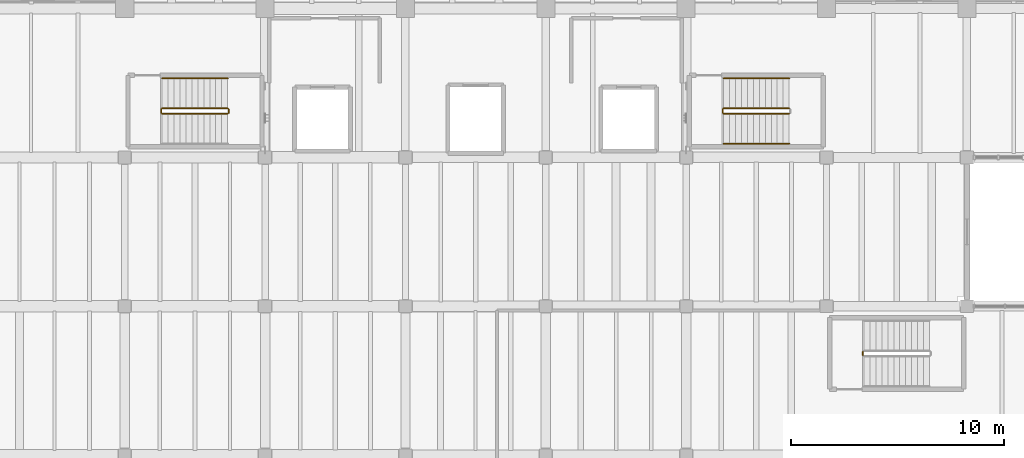
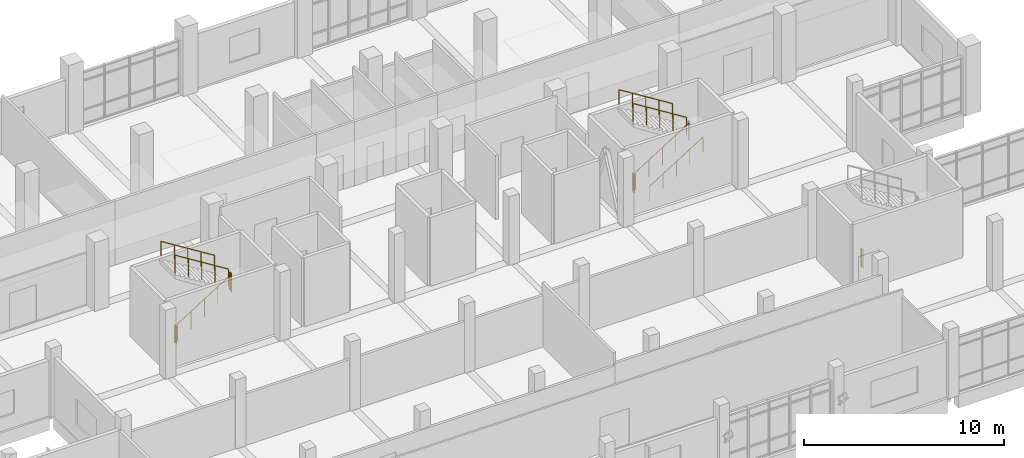
# One storey, part 65 of 68: 11 railings.
"""IFC4 building model written with IfcOpenShell, lengths in metres."""

from ifc_helpers import new_model, si_unit, direction, frame, origin, origin_2d, place, context, subcontext, project, spatial, circle, extrude, material, type_object, element, save


model = new_model("IFC4")

# Units and contexts
model_context = context("Model", 3, precision=1e-05, world=origin(), true_north=direction((0.0, 1.0)))
body_context = subcontext(model_context, "Body", "Model", "MODEL_VIEW")
ifc_project = project(units=[si_unit("LENGTHUNIT", "METRE"), si_unit("AREAUNIT", "SQUARE_METRE"), si_unit("VOLUMEUNIT", "CUBIC_METRE"), si_unit("PLANEANGLEUNIT", "RADIAN"), si_unit("MASSUNIT", "GRAM", prefix="KILO")], contexts=[model_context])

# Site, building, storey
site_placement = place(None, origin())
site = spatial("IfcSite", under=ifc_project, at=site_placement, CompositionType="ELEMENT")
building_placement = place(site_placement, origin())
building = spatial("IfcBuilding", under=site, at=building_placement, Name="Ciguamira Faculty of Natural Sciences", CompositionType="ELEMENT")
storey_placement = place(building_placement, frame((0.0, 0.0, 4.199951171875)))
storey = spatial("IfcBuildingStorey", under=building, at=storey_placement, Name="L01", CompositionType="ELEMENT", Elevation=4.199951171875)

# Railings
ifc_material_1 = material(Name="Stainless steel balustrade", Category="steel")
railing_type_1 = type_object("IfcRailingType", Name="Guardrail_GR01", PredefinedType="GUARDRAIL", material=ifc_material_1)
railing_1_placement = place(storey_placement, frame((72.260009765625, 96.050048828125, 0.175048828125)))
element("IfcRailing", 1, at=railing_1_placement, inside=storey, type_object=railing_type_1, Name="L01 ST-T1 stair guard 1", PredefinedType="GUARDRAIL", context=body_context, shape_type="SweptSolid", body=[
    extrude(circle(Radius=0.02392578125, at=origin_2d()), frame((0.0, 0.0, 1.076171875), z_axis=(0.847998304005, 0.0, 0.529998940003), x_axis=(0.0, 1.0, 0.0)), (0.0, 0.0, 1.0), 3.632080078125),
    extrude(circle(Radius=0.02099609375, at=origin_2d()), origin(), (0.0, 0.0, 1.0), 1.052001953125),
    extrude(circle(Radius=0.02099609375, at=origin_2d()), frame((0.77001953125, 0.0, 0.481201171875)), (0.0, 0.0, 1.0), 1.052001953125),
    extrude(circle(Radius=0.02099609375, at=origin_2d()), frame((1.5400390625, 0.0, 0.96240234375)), (0.0, 0.0, 1.0), 1.052001953125),
    extrude(circle(Radius=0.02099609375, at=origin_2d()), frame((2.31005859375, 0.0, 1.44384765625)), (0.0, 0.0, 1.0), 1.052001953125),
    extrude(circle(Radius=0.02099609375, at=origin_2d()), frame((3.080078125, 0.0, 1.925048828125)), (0.0, 0.0, 1.0), 1.052001953125),
])
railing_2_placement = place(storey_placement, frame((75.389892578125, 96.10009765625, 2.10009765625)))
element("IfcRailing", 2, at=railing_2_placement, inside=storey, type_object=railing_type_1, Name="L01 ST-T1 stair guard 2", PredefinedType="GUARDRAIL", context=body_context, shape_type="SweptSolid", body=[
    extrude(circle(Radius=0.02392578125, at=origin_2d()), frame((0.0, 0.0, 1.076171875), z_axis=(0.0, 1.0, 0.0), x_axis=(-1.0, 0.0, 0.0)), (0.0, 0.0, 1.0), 0.159912109375),
    extrude(circle(Radius=0.02099609375, at=origin_2d()), origin(), (0.0, 0.0, 1.0), 1.052001953125),
    extrude(circle(Radius=0.02099609375, at=origin_2d()), frame((0.0, 0.159912109375, 0.0)), (0.0, 0.0, 1.0), 1.052001953125),
])
railing_3_placement = place(storey_placement, frame((75.340087890625, 96.31005859375, 2.275146484375)))
element("IfcRailing", 3, at=railing_3_placement, inside=storey, type_object=railing_type_1, Name="L01 ST-T1 stair guard 3", PredefinedType="GUARDRAIL", context=body_context, shape_type="SweptSolid", body=[
    extrude(circle(Radius=0.02392578125, at=origin_2d()), frame((0.0, 0.0, 1.076171875), z_axis=(-0.848028513186, 0.0, 0.529950602248), x_axis=(0.0, -1.0, 0.0)), (0.0, 0.0, 1.0), 3.632080078125),
    extrude(circle(Radius=0.02099609375, at=origin_2d()), origin(), (0.0, 0.0, 1.0), 1.052001953125),
    extrude(circle(Radius=0.02099609375, at=origin_2d()), frame((-0.77001953125, 0.0, 0.481201171875)), (0.0, 0.0, 1.0), 1.052001953125),
    extrude(circle(Radius=0.02099609375, at=origin_2d()), frame((-1.5400390625, 0.0, 0.96240234375)), (0.0, 0.0, 1.0), 1.052001953125),
    extrude(circle(Radius=0.02099609375, at=origin_2d()), frame((-2.31005859375, 0.0, 1.443603515625)), (0.0, 0.0, 1.0), 1.052001953125),
    extrude(circle(Radius=0.02099609375, at=origin_2d()), frame((-3.080078125, 0.0, 1.9248046875)), (0.0, 0.0, 1.0), 1.052001953125),
])
railing_4_placement = place(storey_placement, frame((72.2099609375, 96.10009765625, 0.0)))
element("IfcRailing", 4, at=railing_4_placement, inside=storey, type_object=railing_type_1, Name="L01 ST-T1 stair guard 4", PredefinedType="GUARDRAIL", context=body_context, shape_type="SweptSolid", body=[
    extrude(circle(Radius=0.02392578125, at=origin_2d()), frame((0.0, 0.0, 1.076171875), z_axis=(0.0, 1.0, 0.0), x_axis=(-1.0, 0.0, 0.0)), (0.0, 0.0, 1.0), 0.159912109375),
    extrude(circle(Radius=0.02099609375, at=origin_2d()), origin(), (0.0, 0.0, 1.0), 1.052001953125),
    extrude(circle(Radius=0.02099609375, at=origin_2d()), frame((0.0, 0.159912109375, 0.0)), (0.0, 0.0, 1.0), 1.052001953125),
])
railing_5_placement = place(storey_placement, frame((98.659912109375, 96.050048828125, 0.175048828125)))
element("IfcRailing", 5, at=railing_5_placement, inside=storey, type_object=railing_type_1, Name="L01 ST-T2 stair guard 1", PredefinedType="GUARDRAIL", context=body_context, shape_type="SweptSolid", body=[
    extrude(circle(Radius=0.02392578125, at=origin_2d()), frame((0.0, 0.0, 1.076171875), z_axis=(0.847998304005, 0.0, 0.529998940003), x_axis=(0.0, 1.0, 0.0)), (0.0, 0.0, 1.0), 3.632080078125),
    extrude(circle(Radius=0.02099609375, at=origin_2d()), origin(), (0.0, 0.0, 1.0), 1.052001953125),
    extrude(circle(Radius=0.02099609375, at=origin_2d()), frame((0.77001953125, 0.0, 0.481201171875)), (0.0, 0.0, 1.0), 1.052001953125),
    extrude(circle(Radius=0.02099609375, at=origin_2d()), frame((1.5400390625, 0.0, 0.96240234375)), (0.0, 0.0, 1.0), 1.052001953125),
    extrude(circle(Radius=0.02099609375, at=origin_2d()), frame((2.31005859375, 0.0, 1.44384765625)), (0.0, 0.0, 1.0), 1.052001953125),
    extrude(circle(Radius=0.02099609375, at=origin_2d()), frame((3.080078125, 0.0, 1.925048828125)), (0.0, 0.0, 1.0), 1.052001953125),
])
railing_6_placement = place(storey_placement, frame((101.739990234375, 96.31005859375, 2.275146484375)))
element("IfcRailing", 6, at=railing_6_placement, inside=storey, type_object=railing_type_1, Name="L01 ST-T2 stair guard 3", PredefinedType="GUARDRAIL", context=body_context, shape_type="SweptSolid", body=[
    extrude(circle(Radius=0.02392578125, at=origin_2d()), frame((0.0, 0.0, 1.076171875), z_axis=(-0.848028513186, 0.0, 0.529950602248), x_axis=(0.0, -1.0, 0.0)), (0.0, 0.0, 1.0), 3.632080078125),
    extrude(circle(Radius=0.02099609375, at=origin_2d()), origin(), (0.0, 0.0, 1.0), 1.052001953125),
    extrude(circle(Radius=0.02099609375, at=origin_2d()), frame((-0.77001953125, 0.0, 0.481201171875)), (0.0, 0.0, 1.0), 1.052001953125),
    extrude(circle(Radius=0.02099609375, at=origin_2d()), frame((-1.5400390625, 0.0, 0.96240234375)), (0.0, 0.0, 1.0), 1.052001953125),
    extrude(circle(Radius=0.02099609375, at=origin_2d()), frame((-2.31005859375, 0.0, 1.443603515625)), (0.0, 0.0, 1.0), 1.052001953125),
    extrude(circle(Radius=0.02099609375, at=origin_2d()), frame((-3.080078125, 0.0, 1.9248046875)), (0.0, 0.0, 1.0), 1.052001953125),
])
railing_7_placement = place(storey_placement, frame((98.610107421875, 96.10009765625, 0.0)))
element("IfcRailing", 7, at=railing_7_placement, inside=storey, type_object=railing_type_1, Name="L01 ST-T2 stair guard 4", PredefinedType="GUARDRAIL", context=body_context, shape_type="SweptSolid", body=[
    extrude(circle(Radius=0.02392578125, at=origin_2d()), frame((0.0, 0.0, 1.076171875), z_axis=(0.0, 1.0, 0.0), x_axis=(-1.0, 0.0, 0.0)), (0.0, 0.0, 1.0), 0.159912109375),
    extrude(circle(Radius=0.02099609375, at=origin_2d()), origin(), (0.0, 0.0, 1.0), 1.052001953125),
    extrude(circle(Radius=0.02099609375, at=origin_2d()), frame((0.0, 0.159912109375, 0.0)), (0.0, 0.0, 1.0), 1.052001953125),
])
railing_8_placement = place(storey_placement, frame((105.2099609375, 84.699951171875, 0.0)))
element("IfcRailing", 8, at=railing_8_placement, inside=storey, type_object=railing_type_1, Name="L01 ST-W2 stair guard 4", PredefinedType="GUARDRAIL", context=body_context, shape_type="SweptSolid", body=[
    extrude(circle(Radius=0.02392578125, at=origin_2d()), frame((0.0, 0.0, 1.076171875), z_axis=(0.0, 1.0, 0.0), x_axis=(-1.0, 0.0, 0.0)), (0.0, 0.0, 1.0), 0.16015625),
    extrude(circle(Radius=0.02099609375, at=origin_2d()), origin(), (0.0, 0.0, 1.0), 1.052001953125),
    extrude(circle(Radius=0.02099609375, at=origin_2d()), frame((0.0, 0.16015625, 0.0)), (0.0, 0.0, 1.0), 1.052001953125),
])
ifc_material_2 = material(Name="Stainless steel handrail", Category="steel")
railing_type_2 = type_object("IfcRailingType", Name="Handrail_HR01", PredefinedType="HANDRAIL", material=ifc_material_2)
railing_9_placement = place(storey_placement, frame((75.340087890625, 97.7099609375, 2.449951171875)))
element("IfcRailing", 9, at=railing_9_placement, inside=storey, type_object=railing_type_2, Name="L01 ST-T1 stair handrail 2", PredefinedType="HANDRAIL", context=body_context, shape_type="SweptSolid", body=[
    extrude(circle(Radius=0.02392578125, at=origin_2d()), frame((0.0, 0.0, 0.89111328125), z_axis=(-0.847998304005, 0.0, 0.529998940003), x_axis=(0.0, -1.0, 0.0)), (0.0, 0.0, 1.0), 3.632080078125),
    extrude(circle(Radius=0.02099609375, at=origin_2d()), origin(), (0.0, 0.0, 1.0), 0.866943359375),
    extrude(circle(Radius=0.02099609375, at=origin_2d()), frame((-0.77001953125, 0.0, 0.481201171875)), (0.0, 0.0, 1.0), 0.866943359375),
    extrude(circle(Radius=0.02099609375, at=origin_2d()), frame((-1.5400390625, 0.0, 0.96240234375)), (0.0, 0.0, 1.0), 0.866943359375),
    extrude(circle(Radius=0.02099609375, at=origin_2d()), frame((-2.31005859375, 0.0, 1.44384765625)), (0.0, 0.0, 1.0), 0.866943359375),
    extrude(circle(Radius=0.02099609375, at=origin_2d()), frame((-3.080078125, 0.0, 1.925048828125)), (0.0, 0.0, 1.0), 0.866943359375),
])
railing_10_placement = place(storey_placement, frame((98.659912109375, 94.64990234375, 0.35009765625)))
element("IfcRailing", 10, at=railing_10_placement, inside=storey, type_object=railing_type_2, Name="L01 ST-T2 stair handrail 1", PredefinedType="HANDRAIL", context=body_context, shape_type="SweptSolid", body=[
    extrude(circle(Radius=0.02392578125, at=origin_2d()), frame((0.0, 0.0, 0.89111328125), z_axis=(0.847998304005, 0.0, 0.529998940003), x_axis=(0.0, 1.0, 0.0)), (0.0, 0.0, 1.0), 3.632080078125),
    extrude(circle(Radius=0.02099609375, at=origin_2d()), origin(), (0.0, 0.0, 1.0), 0.866943359375),
    extrude(circle(Radius=0.02099609375, at=origin_2d()), frame((0.77001953125, 0.0, 0.481201171875)), (0.0, 0.0, 1.0), 0.866943359375),
    extrude(circle(Radius=0.02099609375, at=origin_2d()), frame((1.5400390625, 0.0, 0.96240234375)), (0.0, 0.0, 1.0), 0.866943359375),
    extrude(circle(Radius=0.02099609375, at=origin_2d()), frame((2.31005859375, 0.0, 1.44384765625)), (0.0, 0.0, 1.0), 0.866943359375),
    extrude(circle(Radius=0.02099609375, at=origin_2d()), frame((3.080078125, 0.0, 1.925048828125)), (0.0, 0.0, 1.0), 0.866943359375),
])
railing_11_placement = place(storey_placement, frame((101.739990234375, 97.7099609375, 2.449951171875)))
element("IfcRailing", 11, at=railing_11_placement, inside=storey, type_object=railing_type_2, Name="L01 ST-T2 stair handrail 2", PredefinedType="HANDRAIL", context=body_context, shape_type="SweptSolid", body=[
    extrude(circle(Radius=0.02392578125, at=origin_2d()), frame((0.0, 0.0, 0.89111328125), z_axis=(-0.847998304005, 0.0, 0.529998940003), x_axis=(0.0, -1.0, 0.0)), (0.0, 0.0, 1.0), 3.632080078125),
    extrude(circle(Radius=0.02099609375, at=origin_2d()), origin(), (0.0, 0.0, 1.0), 0.866943359375),
    extrude(circle(Radius=0.02099609375, at=origin_2d()), frame((-0.77001953125, 0.0, 0.481201171875)), (0.0, 0.0, 1.0), 0.866943359375),
    extrude(circle(Radius=0.02099609375, at=origin_2d()), frame((-1.5400390625, 0.0, 0.96240234375)), (0.0, 0.0, 1.0), 0.866943359375),
    extrude(circle(Radius=0.02099609375, at=origin_2d()), frame((-2.31005859375, 0.0, 1.44384765625)), (0.0, 0.0, 1.0), 0.866943359375),
    extrude(circle(Radius=0.02099609375, at=origin_2d()), frame((-3.080078125, 0.0, 1.925048828125)), (0.0, 0.0, 1.0), 0.866943359375),
])

save(model, "model.ifc")
